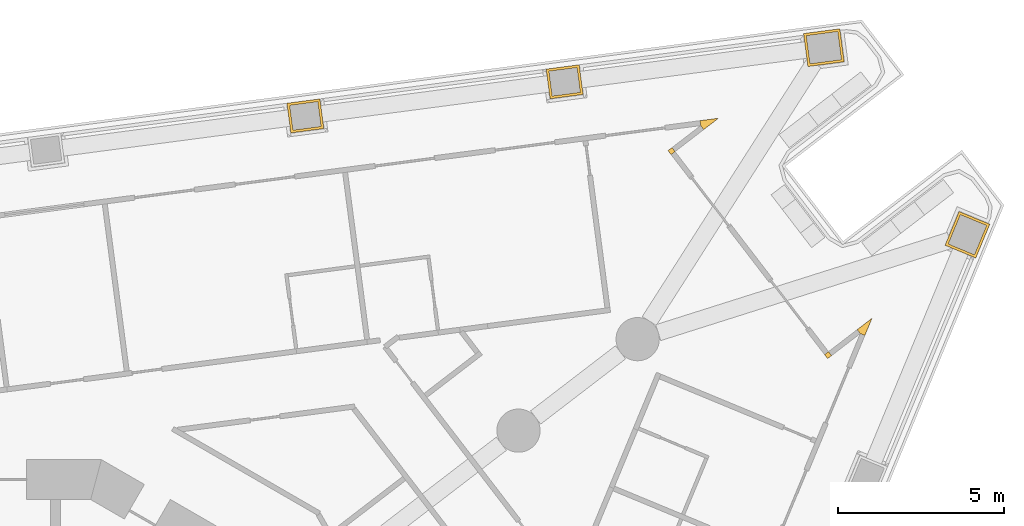
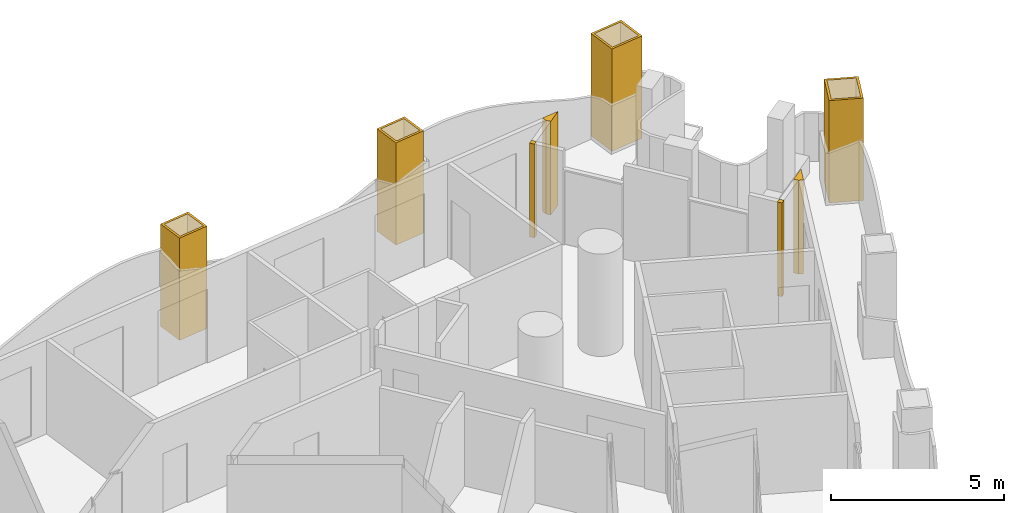
# One storey, part 18 of 19: 8 coverings.
"""IFC4 building model written with IfcOpenShell, lengths in metres."""

from ifc_helpers import new_model, si_unit, direction, frame, origin, place, context, subcontext, project, spatial, polyline, outline, extrude, material, layer, layer_set, type_object, element, save


model = new_model("IFC4")

# Units and contexts
model_context = context("Model", 3, precision=1e-05, world=origin(), true_north=direction((0.0, 1.0)))
body_context = subcontext(model_context, "Body", "Model", "MODEL_VIEW")
ifc_project = project(units=[si_unit("LENGTHUNIT", "METRE"), si_unit("AREAUNIT", "SQUARE_METRE"), si_unit("VOLUMEUNIT", "CUBIC_METRE"), si_unit("PLANEANGLEUNIT", "RADIAN"), si_unit("MASSUNIT", "GRAM", prefix="KILO")], contexts=[model_context])

# Site, building, storey
site_placement = place(None, origin())
site = spatial("IfcSite", under=ifc_project, at=site_placement, CompositionType="ELEMENT")
building_placement = place(site_placement, origin())
building = spatial("IfcBuilding", under=site, at=building_placement, Name="Trine Commons Tower", CompositionType="ELEMENT")
storey_placement = place(building_placement, frame((0.0, 0.0, 68.39990234375)))
storey = spatial("IfcBuildingStorey", under=building, at=storey_placement, Name="L16", CompositionType="ELEMENT", Elevation=68.39990234375)

# Coverings
ifc_material_1 = material(Name="Aluminium-framed insulated wall panel", Category="aluminium")
ifc_layer_1 = layer(ifc_material_1, 0.14990234375)
ifc_layer_set_1 = layer_set([ifc_layer_1], Name="Aluminium-framed insulated wall panel")
covering_type_1 = type_object("IfcCoveringType", Name="Glazing corner post, aluminium", PredefinedType="CLADDING", material=ifc_layer_set_1)
covering_1_placement = place(storey_placement, origin())
element("IfcCovering", 1, at=covering_1_placement, inside=storey, type_object=covering_type_1, Name="Glazing corner post 2-05", PredefinedType="CLADDING", context=body_context, shape_type="SweptSolid", body=[
    extrude(outline(polyline([(101.056396484375, 83.434326171875), (101.50048828125, 83.775146484375), (100.945556640625, 83.7021484375), (100.965087890625, 83.553466796875), (101.056396484375, 83.434326171875)])), origin(), (0.0, 0.0, 1.0), 3.300048828125),
])
covering_2_placement = place(storey_placement, origin())
element("IfcCovering", 2, at=covering_2_placement, inside=storey, type_object=covering_type_1, Name="Glazing corner post 2-06", PredefinedType="CLADDING", context=body_context, shape_type="SweptSolid", body=[
    extrude(outline(polyline([(100.076171875, 82.68212890625), (100.195068359375, 82.7734375), (100.103759765625, 82.892333984375), (99.98486328125, 82.801025390625), (100.076171875, 82.68212890625)])), origin(), (0.0, 0.0, 1.0), 3.300048828125),
])
covering_3_placement = place(storey_placement, origin())
element("IfcCovering", 3, at=covering_3_placement, inside=storey, type_object=covering_type_1, Name="Glazing corner post 2-07", PredefinedType="CLADDING", context=body_context, shape_type="SweptSolid", body=[
    extrude(outline(polyline([(104.6904296875, 76.66845703125), (104.78173828125, 76.549560546875), (104.90087890625, 76.640869140625), (104.8095703125, 76.759765625), (104.6904296875, 76.66845703125)])), origin(), (0.0, 0.0, 1.0), 3.300048828125),
])
covering_4_placement = place(storey_placement, origin())
element("IfcCovering", 4, at=covering_4_placement, inside=storey, type_object=covering_type_1, Name="Glazing corner post 2-08", PredefinedType="CLADDING", context=body_context, shape_type="SweptSolid", body=[
    extrude(outline(polyline([(105.90087890625, 77.244384765625), (106.114990234375, 77.761474609375), (105.6708984375, 77.4208984375), (105.76220703125, 77.3017578125), (105.90087890625, 77.244384765625)])), origin(), (0.0, 0.0, 1.0), 3.300048828125),
])
ifc_material_2 = material(Name="Limestone, honed", Category="masonry")
ifc_layer_2 = layer(ifc_material_2, 0.074951171875)
ifc_layer_set_2 = layer_set([ifc_layer_2], Name="Limestone, honed")
covering_type_2 = type_object("IfcCoveringType", Name="Limestone column cladding 75", PredefinedType="CLADDING", material=ifc_layer_set_2)
covering_5_placement = place(storey_placement, origin())
element("IfcCovering", 5, at=covering_5_placement, inside=storey, type_object=covering_type_2, Name="Limestone pier cladding 2-14", PredefinedType="CLADDING", context=body_context, shape_type="SweptSolid", body=[
    extrude(outline(polyline([(89.636962890625, 83.464111328125), (89.519287109375, 84.356201171875), (88.52783203125, 84.225830078125), (88.6455078125, 83.33349609375), (89.636962890625, 83.464111328125)]), holes=[polyline([(89.552734375, 83.528564453125), (89.454833984375, 84.272216796875), (88.612060546875, 84.1611328125), (88.7099609375, 83.41748046875), (89.552734375, 83.528564453125)])]), origin(), (0.0, 0.0, 1.0), 3.60009765625),
])
covering_6_placement = place(storey_placement, origin())
element("IfcCovering", 6, at=covering_6_placement, inside=storey, type_object=covering_type_2, Name="Limestone pier cladding 2-15", PredefinedType="CLADDING", context=body_context, shape_type="SweptSolid", body=[
    extrude(outline(polyline([(97.43017578125, 84.489990234375), (97.312744140625, 85.38232421875), (96.3212890625, 85.251708984375), (96.438720703125, 84.359619140625), (97.43017578125, 84.489990234375)]), holes=[polyline([(97.345947265625, 84.5546875), (97.248046875, 85.298095703125), (96.405517578125, 85.187255859375), (96.50341796875, 84.443603515625), (97.345947265625, 84.5546875)])]), origin(), (0.0, 0.0, 1.0), 3.60009765625),
])
covering_7_placement = place(storey_placement, origin())
element("IfcCovering", 7, at=covering_7_placement, inside=storey, type_object=covering_type_2, Name="Limestone pier cladding 2-16", PredefinedType="CLADDING", context=body_context, shape_type="SweptSolid", body=[
    extrude(outline(polyline([(105.279541015625, 85.472900390625), (105.14892578125, 86.46435546875), (104.058349609375, 86.32080078125), (104.18896484375, 85.329345703125), (105.279541015625, 85.472900390625)]), holes=[polyline([(105.1953125, 85.53759765625), (105.08447265625, 86.38037109375), (104.142578125, 86.25634765625), (104.25341796875, 85.41357421875), (105.1953125, 85.53759765625)])]), origin(), (0.0, 0.0, 1.0), 3.60009765625),
])
covering_8_placement = place(storey_placement, origin())
element("IfcCovering", 8, at=covering_8_placement, inside=storey, type_object=covering_type_2, Name="Limestone pier cladding 2-17", PredefinedType="CLADDING", context=body_context, shape_type="SweptSolid", body=[
    extrude(outline(polyline([(109.65673828125, 80.589599609375), (108.73291015625, 80.972412109375), (108.31201171875, 79.9560546875), (109.23583984375, 79.5732421875), (109.65673828125, 80.589599609375)]), holes=[polyline([(109.558837890625, 80.549072265625), (108.7734375, 80.874267578125), (108.409912109375, 79.99658203125), (109.1953125, 79.67138671875), (109.558837890625, 80.549072265625)])]), origin(), (0.0, 0.0, 1.0), 3.60009765625),
])

save(model, "model.ifc")
